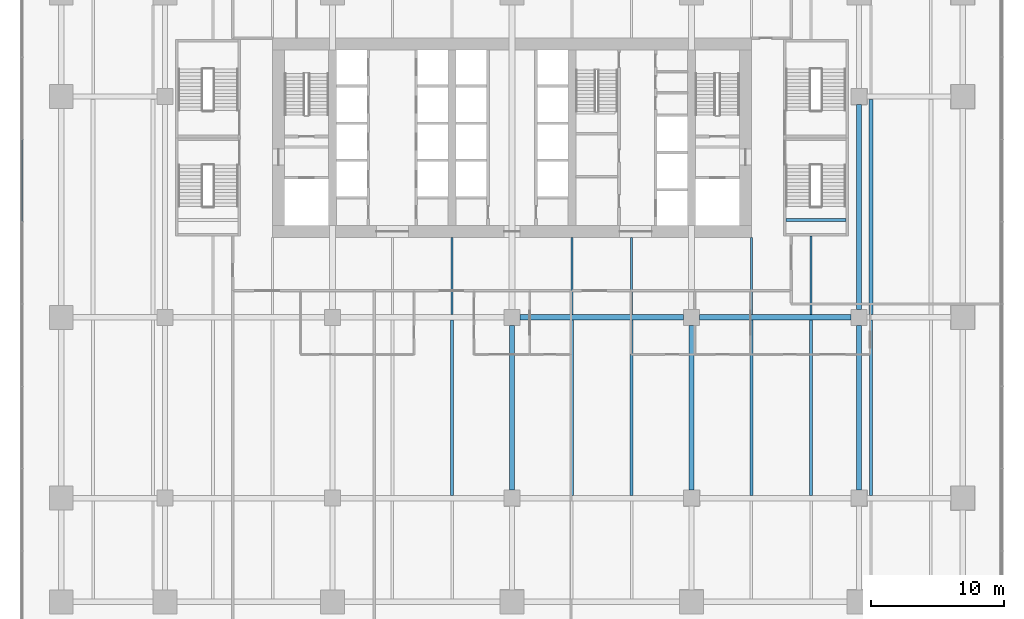
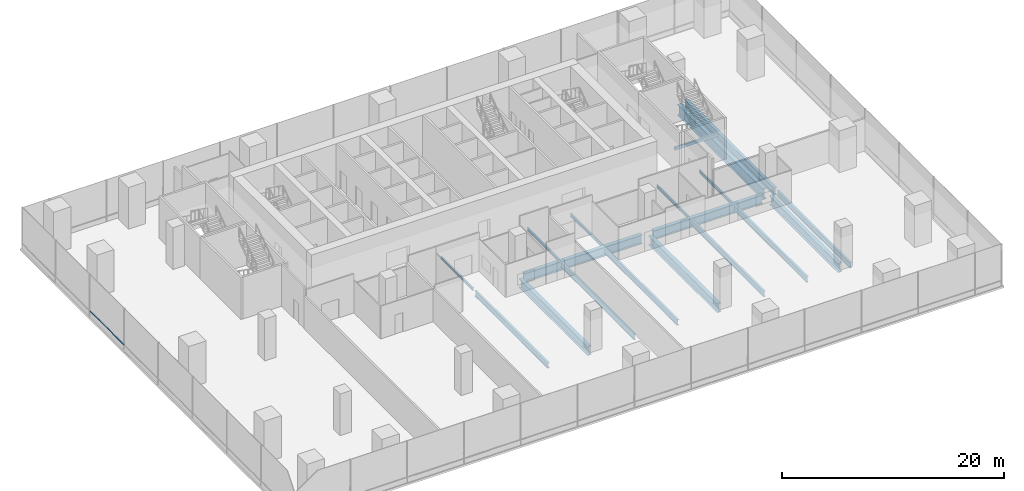
# One storey, part 8 of 29: 19 beams, 1 member, 1 element without a shape of its own.
"""IFC4 building model written with IfcOpenShell, lengths in metres."""

import ifcopenshell
import ifcopenshell.guid

model = None  # the IFC model being written
_history = None  # IfcOwnerHistory: only IFC2X3 demands one
_inside = {}  # id of a spatial element -> (the spatial element, [elements in it])
_under = {}  # id of a project, library or spatial element -> (it, [spatial elements below it])
_declared = {}  # id of a project -> (the project, [libraries it declares])
_typed = {}  # id of a type object -> (the type object, [elements of that type])
_made_of = {}  # id of a material, layer set ... -> (it, [elements and type objects made of it])


def new_model(schema):
    """Start an empty IFC model of exactly this schema.

    Asked for "IFC4X3", IfcOpenShell would pick the latest addendum, in which some entities
    have other attributes; the version numbers below select the first issue.
    IFC2X3 requires an IfcOwnerHistory on every rooted entity: one is made here for all.
    """
    global model, _history
    if schema == "IFC4X3":
        model = ifcopenshell.file(schema_version=(4, 3, 0, 0))
    else:
        model = ifcopenshell.file(schema=schema)
    _inside.clear()
    _under.clear()
    _declared.clear()
    _typed.clear()
    _made_of.clear()
    _history = None
    if model.schema == "IFC2X3":
        org = make("IfcOrganization", Name="unknown")
        user = make(
            "IfcPersonAndOrganization",
            ThePerson=make("IfcPerson", FamilyName="unknown"),
            TheOrganization=org,
        )
        app = make(
            "IfcApplication",
            ApplicationDeveloper=org,
            Version="unknown",
            ApplicationFullName="unknown",
            ApplicationIdentifier="unknown",
        )
        _history = make(
            "IfcOwnerHistory",
            OwningUser=user,
            OwningApplication=app,
            ChangeAction="ADDED",
            CreationDate=0,
        )
    return model


def make(cls, **values):
    """One entity of the class cls with the attributes given. An attribute that is None is left unset."""
    return model.create_entity(
        cls, **{name: value for name, value in values.items() if value is not None}
    )


def rooted(cls, **values):
    """An entity with a GlobalId (a new one), such as an element, a storey or a relation."""
    return make(cls, GlobalId=ifcopenshell.guid.new(), OwnerHistory=_history, **values)


def si_unit(unit_type, name, prefix=None):
    """IfcSIUnit, for example si_unit("LENGTHUNIT", "METRE", prefix="MILLI")."""
    return make("IfcSIUnit", UnitType=unit_type, Prefix=prefix, Name=name)


def assignment(units):
    """IfcUnitAssignment: the units of a project."""
    return None if units is None else make("IfcUnitAssignment", Units=units)


def point(xyz):
    """IfcCartesianPoint."""
    return None if xyz is None else make("IfcCartesianPoint", Coordinates=xyz)


def direction(xyz):
    """IfcDirection."""
    return None if xyz is None else make("IfcDirection", DirectionRatios=xyz)


def frame(location, z_axis=None, x_axis=None):
    """IfcAxis2Placement3D, a coordinate frame: its origin and axes. An axis left out is left unset."""
    return make(
        "IfcAxis2Placement3D",
        Location=point(location),
        Axis=direction(z_axis),
        RefDirection=direction(x_axis),
    )


def frame_2d(location, x_axis=None):
    """IfcAxis2Placement2D, a coordinate frame in the plane: its origin and x axis."""
    return make(
        "IfcAxis2Placement2D", Location=point(location), RefDirection=direction(x_axis)
    )


def origin():
    """The frame at (0, 0, 0) with its axes left unset."""
    return frame((0.0, 0.0, 0.0))


def origin_2d():
    """The frame at (0, 0) in the plane with its x axis left unset."""
    return frame_2d((0.0, 0.0))


def place(relative_to, where):
    """IfcLocalPlacement: puts the frame where relative to a parent placement (None: the world)."""
    return make(
        "IfcLocalPlacement", PlacementRelTo=relative_to, RelativePlacement=where
    )


def context(
    kind, dimensions, precision=None, world=None, true_north=None, identifier=None
):
    """IfcGeometricRepresentationContext, for example the 3D "Model" context."""
    return make(
        "IfcGeometricRepresentationContext",
        ContextIdentifier=identifier,
        ContextType=kind,
        CoordinateSpaceDimension=dimensions,
        Precision=precision,
        WorldCoordinateSystem=world,
        TrueNorth=true_north,
    )


def subcontext(parent, identifier, kind, view, scale=None):
    """IfcGeometricRepresentationSubContext, for example "Body" below "Model"."""
    return make(
        "IfcGeometricRepresentationSubContext",
        ContextIdentifier=identifier,
        ContextType=kind,
        ParentContext=parent,
        TargetScale=scale,
        TargetView=view,
    )


def project(units=None, contexts=None):
    """IfcProject with its units and contexts."""
    return rooted(
        "IfcProject",
        Name="project",
        RepresentationContexts=contexts,
        UnitsInContext=assignment(units),
    )


def spatial(cls, under=None, at=None, **own):
    """A site, building, storey or space (cls), placed at a placement, below another one or the project."""
    s = rooted(cls, ObjectPlacement=at, **own)
    if under is not None:
        _under.setdefault(under.id(), (under, []))[1].append(s)
    return s


def profile(cls, at=None, kind="AREA", **sizes):
    """A parametric profile (cls). Its sizes go by their IFC names, for example OverallWidth=200.0."""
    return make(cls, ProfileType=kind, Position=at, **sizes)


def rectangle(**sizes):
    """IfcRectangleProfileDef."""
    return profile("IfcRectangleProfileDef", **sizes)


def i_section(**sizes):
    """IfcIShapeProfileDef."""
    return profile("IfcIShapeProfileDef", **sizes)


def extrude(swept, where, along, depth):
    """IfcExtrudedAreaSolid: the profile swept, set in the frame where, extruded along a direction by depth."""
    return make(
        "IfcExtrudedAreaSolid",
        SweptArea=swept,
        Position=where,
        ExtrudedDirection=direction(along),
        Depth=depth,
    )


def shape(context_of_items, identifier, shape_type, items):
    """IfcShapeRepresentation: the items that make up one representation, for example the "Body"."""
    return make(
        "IfcShapeRepresentation",
        ContextOfItems=context_of_items,
        RepresentationIdentifier=identifier,
        RepresentationType=shape_type,
        Items=items,
    )


def material(Name=None, Category=None):
    """IfcMaterial."""
    return make("IfcMaterial", Name=Name, Category=Category)


def layer(
    of_material, thickness, ventilated=None, Name=None, Category=None, Priority=None
):
    """IfcMaterialLayer: one layer of a wall or slab, of a material (None: an air gap)."""
    return make(
        "IfcMaterialLayer",
        Material=of_material,
        LayerThickness=thickness,
        IsVentilated=ventilated,
        Name=Name,
        Category=Category,
        Priority=Priority,
    )


def layer_set(layers, Name=None):
    """IfcMaterialLayerSet."""
    return make("IfcMaterialLayerSet", MaterialLayers=layers, LayerSetName=Name)


def material_profile(
    of_material, cross_section, Name=None, Category=None, Priority=None
):
    """IfcMaterialProfile: a cross section and its material."""
    return make(
        "IfcMaterialProfile",
        Name=Name,
        Material=of_material,
        Profile=cross_section,
        Priority=Priority,
        Category=Category,
    )


def profile_set(profiles, Name=None, composite=None):
    """IfcMaterialProfileSet."""
    return make(
        "IfcMaterialProfileSet",
        Name=Name,
        MaterialProfiles=profiles,
        CompositeProfile=composite,
    )


def made_of(thing, what):
    """Note that an element or type object is made of a material, layer set ...; save() writes the relation."""
    if what is not None:
        _made_of.setdefault(what.id(), (what, []))[1].append(thing)
    return thing


def type_object(cls, material=None, **own):
    """A type object (cls), such as IfcWallType, which elements share."""
    return made_of(rooted(cls, **own), material)


def element(
    cls,
    number,
    at=None,
    inside=None,
    cuts=None,
    type_object=None,
    material=None,
    context=None,
    identifier="Body",
    shape_type=None,
    held_by="IfcProductDefinitionShape",
    body=None,
    shapes=None,
    **own,
):
    """One element of the class cls, such as IfcWall. Its Tag is "e" and its number.

    at: its placement. inside: the storey or other place that contains it. cuts: it is an
    opening in that element (IfcRelVoidsElement). A single representation is given by context,
    identifier, shape_type and body (its items); several are given by shapes. held_by: the class
    of the entity that holds the representations. save() writes the other relations.
    """
    e = rooted(cls, Tag="e%d" % number, ObjectPlacement=at, **own)
    if body is not None:
        shapes = [shape(context, identifier, shape_type, body)]
    if shapes is not None:
        e.Representation = make(held_by, Representations=shapes)
    if inside is not None:
        _inside.setdefault(inside.id(), (inside, []))[1].append(e)
    if cuts is not None:
        rooted(
            "IfcRelVoidsElement", RelatingBuildingElement=cuts, RelatedOpeningElement=e
        )
    if type_object is not None:
        _typed.setdefault(type_object.id(), (type_object, []))[1].append(e)
    return made_of(e, material)


def aggregate(whole, parts):
    """IfcRelAggregates: a whole, such as a stair, and the parts it consists of."""
    return rooted("IfcRelAggregates", RelatingObject=whole, RelatedObjects=parts)


def save(model, path):
    """Write the relations noted so far, then the file.

    IfcRelAggregates (storeys below a building ...), IfcRelContainedInSpatialStructure (elements
    in a storey), IfcRelDefinesByType, IfcRelAssociatesMaterial and IfcRelDeclares: one each for
    every whole, place, type object, material and project.
    """
    for whole, parts in _under.values():
        aggregate(whole, parts)
    for where, things in _inside.values():
        rooted(
            "IfcRelContainedInSpatialStructure",
            RelatedElements=things,
            RelatingStructure=where,
        )
    for kind, things in _typed.values():
        rooted("IfcRelDefinesByType", RelatedObjects=things, RelatingType=kind)
    for what, things in _made_of.values():
        rooted("IfcRelAssociatesMaterial", RelatedObjects=things, RelatingMaterial=what)
    for by, libraries in _declared.values():
        rooted("IfcRelDeclares", RelatingContext=by, RelatedDefinitions=libraries)
    model.write(path)


model = new_model("IFC4")

# Units and contexts
model_context = context("Model", 3, precision=1e-05, world=origin(), true_north=direction((0.0, 1.0)))
body_context = subcontext(model_context, "Body", "Model", "MODEL_VIEW")
ifc_project = project(units=[si_unit("LENGTHUNIT", "METRE"), si_unit("AREAUNIT", "SQUARE_METRE"), si_unit("VOLUMEUNIT", "CUBIC_METRE"), si_unit("PLANEANGLEUNIT", "RADIAN"), si_unit("MASSUNIT", "GRAM", prefix="KILO")], contexts=[model_context])

# Site, building, storey
site_placement = place(None, origin())
site = spatial("IfcSite", under=ifc_project, at=site_placement, CompositionType="ELEMENT")
building_placement = place(site_placement, origin())
building = spatial("IfcBuilding", under=site, at=building_placement, Name="Rattan Terrace Tower", CompositionType="ELEMENT")
storey_placement = place(building_placement, frame((0.0, 0.0, 12.60009765625)))
storey = spatial("IfcBuildingStorey", under=building, at=storey_placement, Name="L02", CompositionType="ELEMENT", Elevation=12.60009765625)

# Beams
ifc_material_1 = material(Name="Concrete C40/50", Category="concrete")
ifc_material_profile_1 = material_profile(ifc_material_1, rectangle(XDim=0.199951171875, YDim=0.300048828125, at=origin_2d()), Name="RC 200x300")
ifc_profile_set_1 = profile_set([ifc_material_profile_1], Name="Concrete C40/50")
beam_type_1 = type_object("IfcBeamType", Name="Core landing beam RC 200x300", PredefinedType="BEAM", material=ifc_profile_set_1)
beam_1_placement = place(storey_placement, frame((20.60009765625, -6.18505859375, 2.0498046875), z_axis=(1.0, 0.0, 0.0), x_axis=(0.0, 1.0, 0.0)))
element("IfcBeam", 1, at=beam_1_placement, inside=storey, type_object=beam_type_1, Name="st-S6-L02 landing 1 edge beam", PredefinedType="BEAM", context=body_context, shape_type="SweptSolid", body=[
    extrude(rectangle(XDim=0.199951171875, YDim=0.300048828125, at=origin_2d()), origin(), (0.0, 0.0, 1.0), 4.5),
])
ifc_material_2 = material(Name="Steel S355", Category="steel")
ifc_material_profile_2 = material_profile(ifc_material_2, i_section(OverallWidth=0.300048828125, OverallDepth=0.800048828125, WebThickness=0.017578125, FlangeThickness=0.032958984375, FilletRadius=0.030029296875, at=origin_2d()), Name="HE 800 B")
ifc_profile_set_2 = profile_set([ifc_material_profile_2], Name="Steel S355")
beam_type_2 = type_object("IfcBeamType", Name="Frame floor beam HE 800 B", PredefinedType="JOIST", material=ifc_profile_set_2)
beam_2_placement = place(storey_placement, frame((27.0, -13.300048828125, -0.60009765625), z_axis=(0.0, 1.0, 0.0), x_axis=(-1.0, 0.0, 0.0)))
element("IfcBeam", 2, at=beam_2_placement, inside=storey, type_object=beam_type_2, Name="bm-L02-037", PredefinedType="JOIST", context=body_context, shape_type="SweptSolid", body=[
    extrude(i_section(OverallWidth=0.300048828125, OverallDepth=0.800048828125, WebThickness=0.017578125, FlangeThickness=0.032958984375, FilletRadius=0.030029296875, at=origin_2d()), origin(), (0.0, 0.0, 1.0), 16.199951171875),
])
ifc_material_3 = material(Name="Steel S355", Category="steel")
ifc_material_profile_3 = material_profile(ifc_material_3, i_section(OverallWidth=0.14990234375, OverallDepth=0.300048828125, WebThickness=0.007080078125, FlangeThickness=0.0107421875, FilletRadius=0.014892578125, at=origin_2d()), Name="IPE 300")
ifc_profile_set_3 = profile_set([ifc_material_profile_3], Name="Steel S355")
beam_type_3 = type_object("IfcBeamType", Name="Frame floor beam IPE 300", PredefinedType="JOIST", material=ifc_profile_set_3)
for number, where, z_axis, x_axis, name in (
    (3, (-4.5, -13.300048828125, -0.35009765625), (0.0, 1.0, 0.0), (-1.0, 0.0, 0.0), "bm-L02-032"),
    (4, (4.5, -13.300048828125, -0.35009765625), (0.0, 1.0, 0.0), (-1.0, 0.0, 0.0), "bm-L02-033"),
    (5, (9.0, -13.300048828125, -0.35009765625), (0.0, 1.0, 0.0), (-1.0, 0.0, 0.0), "bm-L02-034"),
    (6, (18.0, -13.300048828125, -0.35009765625), (0.0, 1.0, 0.0), (-1.0, 0.0, 0.0), "bm-L02-035"),
):
    element("IfcBeam", number, at=place(storey_placement, frame(where, z_axis=z_axis, x_axis=x_axis)), inside=storey, type_object=beam_type_3, Name=name, PredefinedType="JOIST", context=body_context, shape_type="SweptSolid", body=[
        extrude(i_section(OverallWidth=0.14990234375, OverallDepth=0.300048828125, WebThickness=0.007080078125, FlangeThickness=0.0107421875, FilletRadius=0.014892578125, at=origin_2d()), origin(), (0.0, 0.0, 1.0), 5.800048828125),
    ])
beam_3_placement = place(storey_placement, frame((22.5, -13.300048828125, -0.35009765625), z_axis=(0.0, 1.0, 0.0), x_axis=(-1.0, 0.0, 0.0)))
element("IfcBeam", 7, at=beam_3_placement, inside=storey, type_object=beam_type_3, Name="bm-L02-036", PredefinedType="JOIST", context=body_context, shape_type="SweptSolid", body=[
    extrude(i_section(OverallWidth=0.14990234375, OverallDepth=0.300048828125, WebThickness=0.007080078125, FlangeThickness=0.0107421875, FilletRadius=0.014892578125, at=origin_2d()), origin(), (0.0, 0.0, 1.0), 5.900146484375),
])
ifc_material_4 = material(Name="Steel S355", Category="steel")
ifc_material_profile_4 = material_profile(ifc_material_4, i_section(OverallWidth=0.22412109375, OverallDepth=0.610107421875, WebThickness=0.014892578125, FlangeThickness=0.02392578125, FilletRadius=0.02392578125, at=origin_2d()), Name="IPE O 600")
ifc_profile_set_4 = profile_set([ifc_material_profile_4], Name="Steel S355")
beam_type_4 = type_object("IfcBeamType", Name="Frame floor beam IPE O 600", PredefinedType="JOIST", material=ifc_profile_set_4)
for number, where, z_axis, x_axis, name in (
    (8, (-4.5, -26.89990234375, -0.505126953125), (0.0, 1.0, 0.0), (-1.0, 0.0, 0.0), "bm-L02-020"),
    (9, (4.5, -26.89990234375, -0.505126953125), (0.0, 1.0, 0.0), (-1.0, 0.0, 0.0), "bm-L02-021"),
    (10, (9.0, -26.89990234375, -0.505126953125), (0.0, 1.0, 0.0), (-1.0, 0.0, 0.0), "bm-L02-022"),
    (11, (18.0, -26.89990234375, -0.505126953125), (0.0, 1.0, 0.0), (-1.0, 0.0, 0.0), "bm-L02-023"),
    (12, (22.5, -26.89990234375, -0.505126953125), (0.0, 1.0, 0.0), (-1.0, 0.0, 0.0), "bm-L02-024"),
    (13, (27.0, -26.89990234375, -0.505126953125), (0.0, 1.0, 0.0), (-1.0, 0.0, 0.0), "bm-L02-025"),
):
    element("IfcBeam", number, at=place(storey_placement, frame(where, z_axis=z_axis, x_axis=x_axis)), inside=storey, type_object=beam_type_4, Name=name, PredefinedType="JOIST", context=body_context, shape_type="SweptSolid", body=[
        extrude(i_section(OverallWidth=0.22412109375, OverallDepth=0.610107421875, WebThickness=0.014892578125, FlangeThickness=0.02392578125, FilletRadius=0.02392578125, at=origin_2d()), origin(), (0.0, 0.0, 1.0), 13.199951171875),
    ])
ifc_material_5 = material(Name="Steel S460", Category="steel")
ifc_material_profile_5 = material_profile(ifc_material_5, i_section(OverallWidth=0.39990234375, OverallDepth=1.0, WebThickness=0.01806640625, FlangeThickness=0.044921875, at=origin_2d()), Name="PG 1000x400-18-45")
ifc_profile_set_5 = profile_set([ifc_material_profile_5], Name="Steel S460")
beam_type_5 = type_object("IfcBeamType", Name="Frame podium girder PG 1000x400-18-45", PredefinedType="USERDEFINED", material=ifc_profile_set_5)
for number, where, z_axis, x_axis, name in (
    (14, (0.0, -26.5, -0.7001953125), (0.0, 1.0, 0.0), (-1.0, 0.0, 0.0), "gdr-L02-022"),
    (15, (13.5, -26.5, -0.7001953125), (0.0, 1.0, 0.0), (-1.0, 0.0, 0.0), "gdr-L02-023"),
    (16, (26.10009765625, -26.5, -0.7001953125), (0.0, 1.0, 0.0), (-1.0, 0.0, 0.0), "gdr-L02-024"),
):
    element("IfcBeam", number, at=place(storey_placement, frame(where, z_axis=z_axis, x_axis=x_axis)), inside=storey, type_object=beam_type_5, Name=name, ObjectType="PODIUM GIRDER", PredefinedType="USERDEFINED", context=body_context, shape_type="SweptSolid", body=[
        extrude(i_section(OverallWidth=0.39990234375, OverallDepth=1.0, WebThickness=0.01806640625, FlangeThickness=0.044921875, at=origin_2d()), origin(), (0.0, 0.0, 1.0), 12.39990234375),
    ])
beam_4_placement = place(storey_placement, frame((0.60009765625, -13.5, -0.7001953125), z_axis=(1.0, 0.0, 0.0), x_axis=(0.0, 1.0, 0.0)))
element("IfcBeam", 17, at=beam_4_placement, inside=storey, type_object=beam_type_5, Name="gdr-L02-030", ObjectType="PODIUM GIRDER", PredefinedType="USERDEFINED", context=body_context, shape_type="SweptSolid", body=[
    extrude(i_section(OverallWidth=0.39990234375, OverallDepth=1.0, WebThickness=0.01806640625, FlangeThickness=0.044921875, at=origin_2d()), origin(), (0.0, 0.0, 1.0), 12.2998046875),
])
beam_5_placement = place(storey_placement, frame((14.10009765625, -13.5, -0.7001953125), z_axis=(1.0, 0.0, 0.0), x_axis=(0.0, 1.0, 0.0)))
element("IfcBeam", 18, at=beam_5_placement, inside=storey, type_object=beam_type_5, Name="gdr-L02-031", ObjectType="PODIUM GIRDER", PredefinedType="USERDEFINED", context=body_context, shape_type="SweptSolid", body=[
    extrude(i_section(OverallWidth=0.39990234375, OverallDepth=1.0, WebThickness=0.01806640625, FlangeThickness=0.044921875, at=origin_2d()), origin(), (0.0, 0.0, 1.0), 11.39990234375),
])
ifc_material_6 = material(Name="Steel S460", Category="steel")
ifc_material_profile_6 = material_profile(ifc_material_6, i_section(OverallWidth=0.39990234375, OverallDepth=1.199951171875, WebThickness=0.02001953125, FlangeThickness=0.050048828125, at=origin_2d()), Name="PG 1200x400-20-50")
ifc_profile_set_6 = profile_set([ifc_material_profile_6], Name="Steel S460")
beam_type_6 = type_object("IfcBeamType", Name="Frame podium girder PG 1200x400-20-50", PredefinedType="USERDEFINED", material=ifc_profile_set_6)
beam_6_placement = place(storey_placement, frame((26.10009765625, -12.89990234375, -0.800048828125), z_axis=(0.0, 1.0, 0.0), x_axis=(-1.0, 0.0, 0.0)))
element("IfcBeam", 19, at=beam_6_placement, inside=storey, type_object=beam_type_6, Name="gdr-L02-037", ObjectType="PODIUM GIRDER", PredefinedType="USERDEFINED", context=body_context, shape_type="SweptSolid", body=[
    extrude(i_section(OverallWidth=0.39990234375, OverallDepth=1.199951171875, WebThickness=0.02001953125, FlangeThickness=0.050048828125, at=origin_2d()), origin(), (0.0, 0.0, 1.0), 15.39990234375),
])

# Curtain wall, member
ifc_material_7 = material(Name="Aluminium and glass", Category="aluminium")
ifc_layer = layer(ifc_material_7, 0.1201171875)
ifc_layer_set = layer_set([ifc_layer], Name="Station Storefront Curtain Wall")
curtain_wall_type = type_object("IfcCurtainWallType", Name="Station Storefront Curtain Wall", PredefinedType="NOTDEFINED", material=ifc_layer_set)
curtain_wall_placement = place(storey_placement, origin())
curtain_wall = element("IfcCurtainWall", 20, at=curtain_wall_placement, inside=storey, type_object=curtain_wall_type, Name="Storefront curtain wall L02-3", PredefinedType="NOTDEFINED")
ifc_material_8 = material(Name="Aluminium", Category="aluminium")
ifc_material_profile_7 = material_profile(ifc_material_8, rectangle(XDim=0.10009765625, YDim=0.050048828125, at=origin_2d()), Name="Aluminium 100x50")
ifc_profile_set_7 = profile_set([ifc_material_profile_7], Name="Aluminium")
member_type = type_object("IfcMemberType", Name="Storefront CW Transom 100x50", PredefinedType="USERDEFINED", material=ifc_profile_set_7)
member_placement = place(storey_placement, frame((-36.830078125, -0.15087890625, 0.599853515625), z_axis=(0.0, -1.0, 0.0), x_axis=(1.0, 0.0, 0.0)))
member = element("IfcMember", 21, at=member_placement, type_object=member_type, Name="Transom cwl-L02-003.3", ObjectType="TRANSOM", PredefinedType="USERDEFINED", context=body_context, shape_type="SweptSolid", body=[
    extrude(rectangle(XDim=0.10009765625, YDim=0.050048828125, at=origin_2d()), origin(), (0.0, 0.0, 1.0), 6.13818359375),
])
aggregate(curtain_wall, [member])

save(model, "model.ifc")
